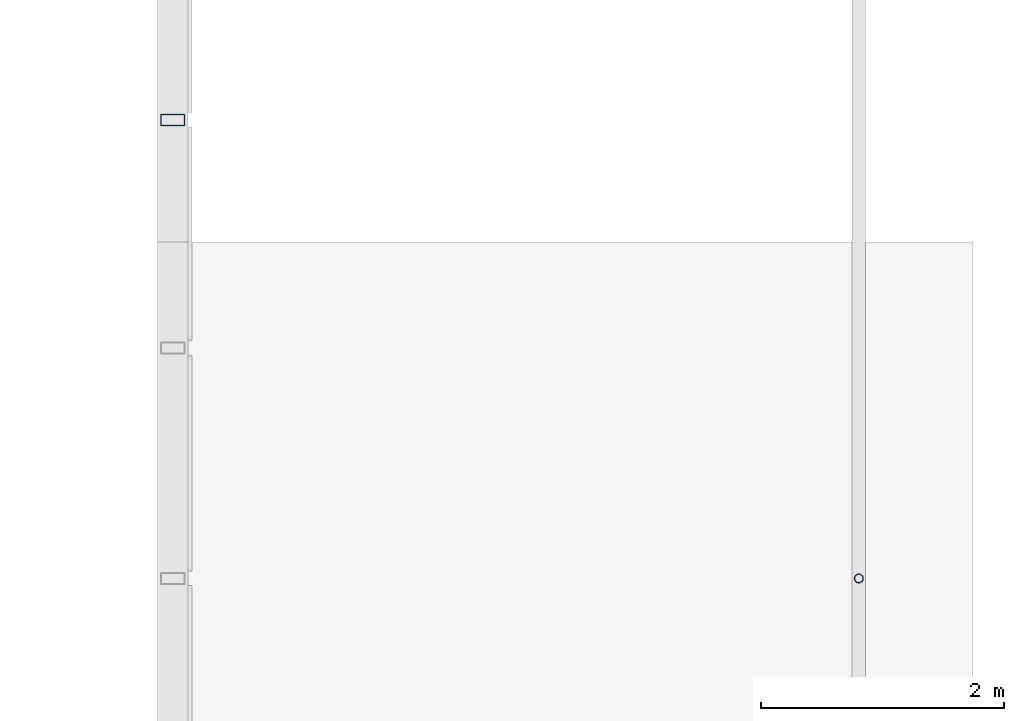
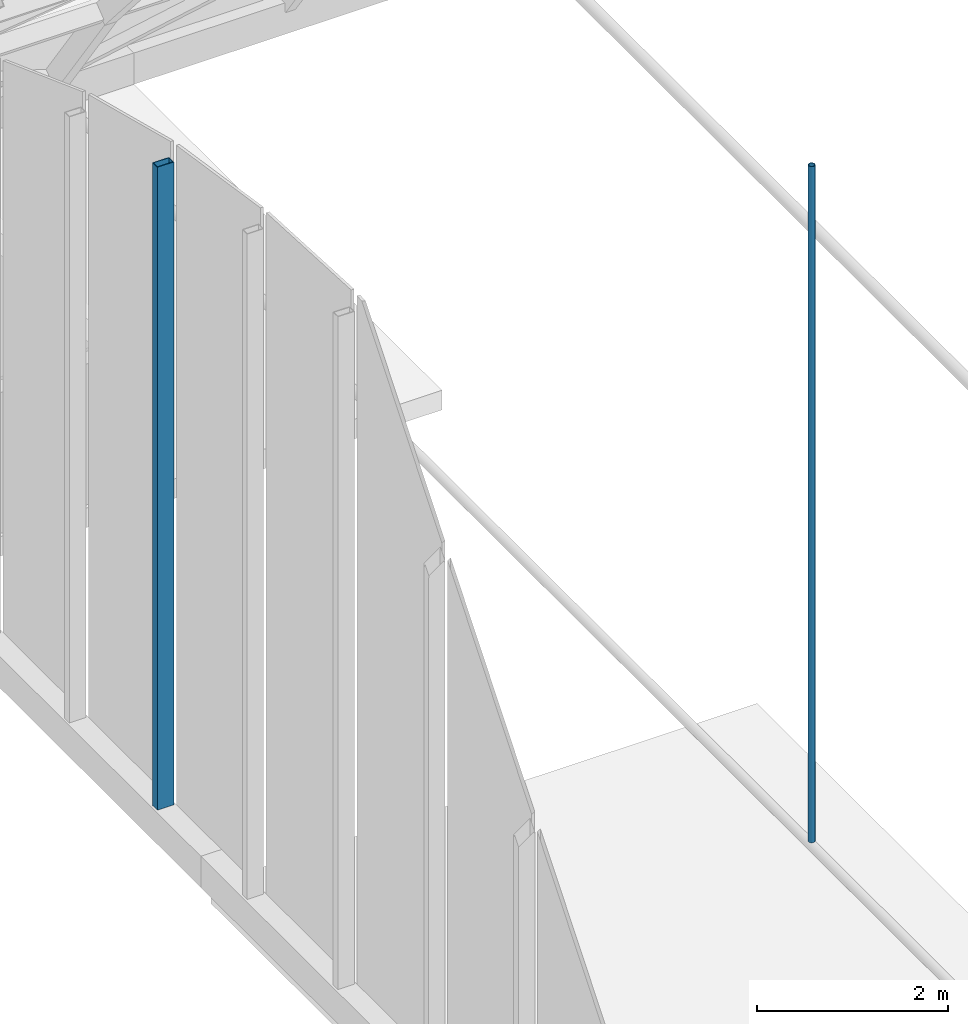
# One storey, part 19 of 109: 2 members.
"""IFC4 building model written with IfcOpenShell, lengths in metres."""

from ifc_helpers import new_model, si_unit, direction, frame, origin, origin_2d, place, context, subcontext, project, spatial, hollow_rectangle, hollow_circle, extrude, material, material_profile, profile_set, type_object, element, save


model = new_model("IFC4")

# Units and contexts
model_context = context("Model", 3, precision=1e-05, world=origin(), true_north=direction((0.0, 1.0)))
body_context = subcontext(model_context, "Body", "Model", "MODEL_VIEW")
ifc_project = project(units=[si_unit("LENGTHUNIT", "METRE"), si_unit("AREAUNIT", "SQUARE_METRE"), si_unit("VOLUMEUNIT", "CUBIC_METRE"), si_unit("PLANEANGLEUNIT", "RADIAN"), si_unit("MASSUNIT", "GRAM", prefix="KILO")], contexts=[model_context])

# Site, building, storey
site_placement = place(None, origin())
site = spatial("IfcSite", under=ifc_project, at=site_placement, CompositionType="ELEMENT")
building_placement = place(site_placement, origin())
building = spatial("IfcBuilding", under=site, at=building_placement, Name="Lantern Court Research Institute", CompositionType="ELEMENT")
storey_placement = place(building_placement, frame((0.0, 0.0, 14.39990234375)))
storey = spatial("IfcBuildingStorey", under=building, at=storey_placement, Name="L03", CompositionType="ELEMENT", Elevation=14.39990234375)

# Members
ifc_material_1 = material(Name="Structural steel S355", Category="steel")
ifc_material_profile_1 = material_profile(ifc_material_1, hollow_rectangle(XDim=0.199951171875, YDim=0.10009765625, WallThickness=0.008056640625, at=origin_2d()), Name="Gable post RHS 200 x 100 x 8")
ifc_profile_set_1 = profile_set([ifc_material_profile_1], Name="Structural steel S355")
member_type_1 = type_object("IfcMemberType", Name="Gable post RHS 200 x 100 x 8", PredefinedType="POST", material=ifc_profile_set_1)
member_1_placement = place(storey_placement, frame((39.60009765625, 43.90576171875, 0.400146484375), z_axis=(0.0, 0.0, 1.0), x_axis=(1.0, 0.0, 0.0)))
element("IfcMember", 1, at=member_1_placement, inside=storey, type_object=member_type_1, Name="Gable post", PredefinedType="POST", context=body_context, shape_type="SweptSolid", body=[
    extrude(hollow_rectangle(XDim=0.199951171875, YDim=0.10009765625, WallThickness=0.008056640625, at=origin_2d()), origin(), (0.0, 0.0, 1.0), 8.218017578125),
])
ifc_material_2 = material(Name="Structural steel S355", Category="steel")
ifc_material_profile_2 = material_profile(ifc_material_2, hollow_circle(Radius=0.0380859375, WallThickness=0.0048828125, at=origin_2d()), Name="Gridshell light hanger CHS 76.1 x 5")
ifc_profile_set_2 = profile_set([ifc_material_profile_2], Name="Structural steel S355")
member_type_2 = type_object("IfcMemberType", Name="Gridshell light hanger CHS 76.1 x 5", PredefinedType="STRUT", material=ifc_profile_set_2)
member_2_placement = place(storey_placement, frame((45.257080078125, 40.125, 0.25732421875), z_axis=(0.0, 0.0, 1.0), x_axis=(1.0, 0.0, 0.0)))
element("IfcMember", 2, at=member_2_placement, inside=storey, type_object=member_type_2, Name="Gridshell hanger", PredefinedType="STRUT", context=body_context, shape_type="SweptSolid", body=[
    extrude(hollow_circle(Radius=0.0380859375, WallThickness=0.0048828125, at=origin_2d()), origin(), (0.0, 0.0, 1.0), 8.642822265625),
])

save(model, "model.ifc")
